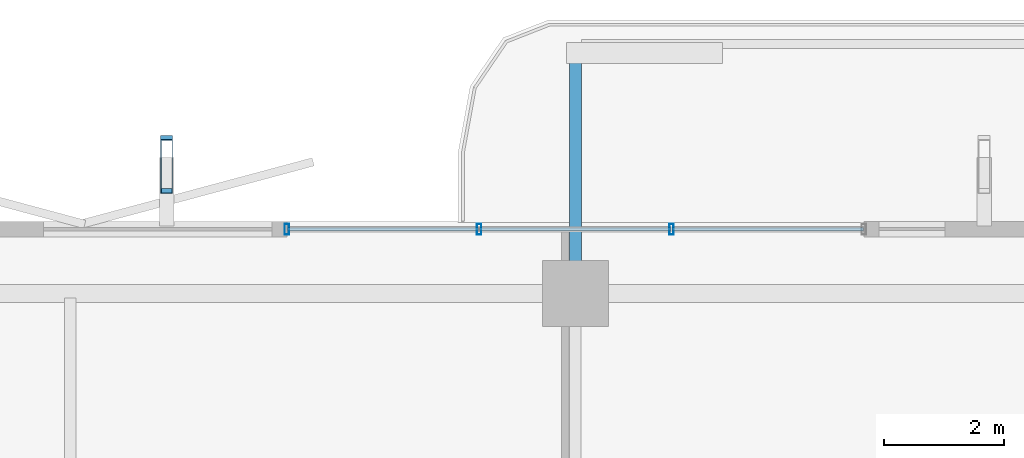
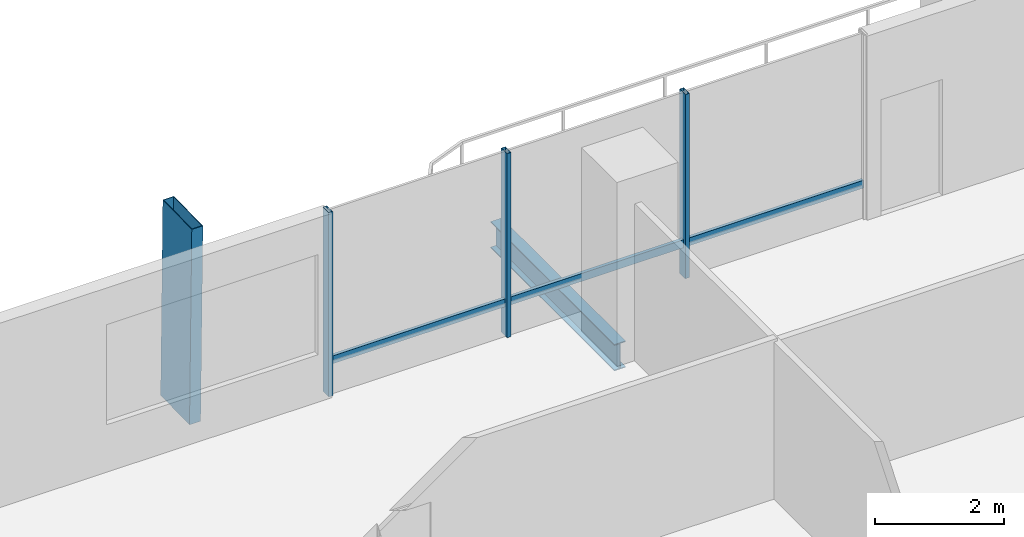
# One storey, part 14 of 25: 7 members, 1 beam, 1 element without a shape of its own.
"""IFC4 building model written with IfcOpenShell, lengths in metres."""

from ifc_helpers import new_model, si_unit, direction, frame, origin, origin_2d, place, context, subcontext, project, spatial, hollow_rectangle, i_section, extrude, material, layer, layer_set, material_profile, profile_set, type_object, element, aggregate, save


model = new_model("IFC4")

# Units and contexts
model_context = context("Model", 3, precision=1e-05, world=origin(), true_north=direction((0.0, 1.0)))
body_context = subcontext(model_context, "Body", "Model", "MODEL_VIEW")
ifc_project = project(units=[si_unit("LENGTHUNIT", "METRE"), si_unit("AREAUNIT", "SQUARE_METRE"), si_unit("VOLUMEUNIT", "CUBIC_METRE"), si_unit("PLANEANGLEUNIT", "RADIAN"), si_unit("MASSUNIT", "GRAM", prefix="KILO")], contexts=[model_context])

# Site, building, storey
site_placement = place(None, origin())
site = spatial("IfcSite", under=ifc_project, at=site_placement, CompositionType="ELEMENT")
building_placement = place(site_placement, origin())
building = spatial("IfcBuilding", under=site, at=building_placement, Name="Belovzor Exchange Tower", CompositionType="ELEMENT")
storey_placement = place(building_placement, frame((0.0, 0.0, 172.050048828125)))
storey = spatial("IfcBuildingStorey", under=building, at=storey_placement, Name="L42", CompositionType="ELEMENT", Elevation=172.050048828125)

# Beam
ifc_material_1 = material(Name="Steel S355", Category="steel")
ifc_material_profile_1 = material_profile(ifc_material_1, i_section(OverallWidth=0.199951171875, OverallDepth=0.5, WebThickness=0.01025390625, FlangeThickness=0.01611328125, at=origin_2d()))
ifc_profile_set_1 = profile_set([ifc_material_profile_1], Name="Steel S355")
beam_type = type_object("IfcBeamType", Name="Planted Balcony Cantilever Beam IPE 500", PredefinedType="BEAM", material=ifc_profile_set_1)
beam_placement = place(storey_placement, frame((28.800048828125, 52.202880859375, -0.505126953125), z_axis=(0.0, 1.0, 0.0), x_axis=(-1.0, 0.0, 0.0)))
element("IfcBeam", 1, at=beam_placement, inside=storey, type_object=beam_type, Name="BC-500 Planted Balcony Cantilever Beam IPE 500", PredefinedType="BEAM", context=body_context, shape_type="SweptSolid", body=[
    extrude(i_section(OverallWidth=0.199951171875, OverallDepth=0.5, WebThickness=0.01025390625, FlangeThickness=0.01611328125, at=origin_2d()), origin(), (0.0, 0.0, 1.0), 3.85009765625),
])

# Member
ifc_material_2 = material(Name="Extruded Architectural Terracotta on Steel S355 Carrier", Category="masonry")
ifc_material_profile_2 = material_profile(ifc_material_2, hollow_rectangle(XDim=0.199951171875, YDim=0.89990234375, WallThickness=0.011962890625, at=origin_2d()))
ifc_profile_set_2 = profile_set([ifc_material_profile_2], Name="Extruded Architectural Terracotta on Steel S355 Carrier")
member_type_1 = type_object("IfcMemberType", Name="Sweeping Terracotta Baguette Fin Assembly 1250", PredefinedType="USERDEFINED", material=ifc_profile_set_2)
member_1_placement = place(storey_placement, frame((22.0, 54.0810546875, -0.255126953125), z_axis=(0.0, -0.018681635002, 0.999825483029), x_axis=(1.0, 0.0, 0.0)))
element("IfcMember", 2, at=member_1_placement, inside=storey, type_object=member_type_1, Name="FIN-TC125 Terracotta Facade Fin L42 N2", ObjectType="FIN", PredefinedType="USERDEFINED", context=body_context, shape_type="SweptSolid", body=[
    extrude(hollow_rectangle(XDim=0.199951171875, YDim=0.89990234375, WallThickness=0.011962890625, at=origin_2d()), origin(), (0.0, 0.0, 1.0), 3.750732421875),
])

# Curtain wall, members
ifc_material_3 = material(Name="Anodised Aluminium Framing", Category="aluminium")
ifc_layer = layer(ifc_material_3, 0.179931640625)
ifc_layer_set = layer_set([ifc_layer], Name="Anodised Aluminium Framing")
curtain_wall_type = type_object("IfcCurtainWallType", Name="Recessed Loggia Low-Iron Triple-Glazed Curtain Wall", PredefinedType="NOTDEFINED", material=ifc_layer_set)
curtain_wall_placement = place(storey_placement, origin())
curtain_wall = element("IfcCurtainWall", 3, at=curtain_wall_placement, inside=storey, type_object=curtain_wall_type, Name="CW3 Recessed Loggia Low-Iron Triple-Glazed Curtain Wall L42", PredefinedType="NOTDEFINED")
ifc_material_4 = material(Name="Steel S355", Category="steel")
ifc_material_profile_3 = material_profile(ifc_material_4, hollow_rectangle(XDim=0.074951171875, YDim=0.179931640625, WallThickness=0.0048828125, at=origin_2d()))
ifc_profile_set_3 = profile_set([ifc_material_profile_3], Name="Steel S355")
member_type_2 = type_object("IfcMemberType", Name="Thermally Broken Curtain Wall Mullion 180x75", PredefinedType="MULLION", material=ifc_profile_set_3)
member_2_placement = place(storey_placement, frame((24.0, 52.969970703125, 0.0), z_axis=(0.0, 0.0, 1.0), x_axis=(1.0, 0.0, 0.0)))
member_2 = element("IfcMember", 4, at=member_2_placement, type_object=member_type_2, Name="CW-M180 Curtain Wall Mullion 1", PredefinedType="MULLION", context=body_context, shape_type="SweptSolid", body=[
    extrude(hollow_rectangle(XDim=0.074951171875, YDim=0.179931640625, WallThickness=0.0048828125, at=origin_2d()), origin(), (0.0, 0.0, 1.0), 3.494873046875),
])
member_3_placement = place(storey_placement, frame((27.199951171875, 52.969970703125, 0.0), z_axis=(0.0, 0.0, 1.0), x_axis=(1.0, 0.0, 0.0)))
member_3 = element("IfcMember", 5, at=member_3_placement, type_object=member_type_2, Name="CW-M180 Curtain Wall Mullion 2", PredefinedType="MULLION", context=body_context, shape_type="SweptSolid", body=[
    extrude(hollow_rectangle(XDim=0.074951171875, YDim=0.179931640625, WallThickness=0.0048828125, at=origin_2d()), origin(), (0.0, 0.0, 1.0), 3.494873046875),
])
member_4_placement = place(storey_placement, frame((30.39990234375, 52.969970703125, 0.0), z_axis=(0.0, 0.0, 1.0), x_axis=(1.0, 0.0, 0.0)))
member_4 = element("IfcMember", 6, at=member_4_placement, type_object=member_type_2, Name="CW-M180 Curtain Wall Mullion 3", PredefinedType="MULLION", context=body_context, shape_type="SweptSolid", body=[
    extrude(hollow_rectangle(XDim=0.074951171875, YDim=0.179931640625, WallThickness=0.0048828125, at=origin_2d()), origin(), (0.0, 0.0, 1.0), 3.494873046875),
])
ifc_material_5 = material(Name="Steel S355", Category="steel")
ifc_material_profile_4 = material_profile(ifc_material_5, hollow_rectangle(XDim=0.06005859375, YDim=0.14990234375, WallThickness=0.00390625, at=origin_2d()))
ifc_profile_set_4 = profile_set([ifc_material_profile_4], Name="Steel S355")
member_type_3 = type_object("IfcMemberType", Name="Thermally Broken Curtain Wall Transom 150x60", PredefinedType="USERDEFINED", material=ifc_profile_set_4)
member_5_placement = place(storey_placement, frame((24.008056640625, 52.969970703125, 0.62890625), z_axis=(1.0, 0.0, 0.0), x_axis=(0.0, 1.0, 0.0)))
member_5 = element("IfcMember", 7, at=member_5_placement, type_object=member_type_3, Name="CW-T150 Curtain Wall Transom 1", ObjectType="TRANSOM", PredefinedType="USERDEFINED", context=body_context, shape_type="SweptSolid", body=[
    extrude(hollow_rectangle(XDim=0.06005859375, YDim=0.14990234375, WallThickness=0.00390625, at=origin_2d()), origin(), (0.0, 0.0, 1.0), 3.183837890625),
])
member_6_placement = place(storey_placement, frame((27.2080078125, 52.969970703125, 0.62890625), z_axis=(1.0, 0.0, 0.0), x_axis=(0.0, 1.0, 0.0)))
member_6 = element("IfcMember", 8, at=member_6_placement, type_object=member_type_3, Name="CW-T150 Curtain Wall Transom 2", ObjectType="TRANSOM", PredefinedType="USERDEFINED", context=body_context, shape_type="SweptSolid", body=[
    extrude(hollow_rectangle(XDim=0.06005859375, YDim=0.14990234375, WallThickness=0.00390625, at=origin_2d()), origin(), (0.0, 0.0, 1.0), 3.18408203125),
])
member_7_placement = place(storey_placement, frame((30.407958984375, 52.969970703125, 0.62890625), z_axis=(1.0, 0.0, 0.0), x_axis=(0.0, 1.0, 0.0)))
member_7 = element("IfcMember", 9, at=member_7_placement, type_object=member_type_3, Name="CW-T150 Curtain Wall Transom 3", ObjectType="TRANSOM", PredefinedType="USERDEFINED", context=body_context, shape_type="SweptSolid", body=[
    extrude(hollow_rectangle(XDim=0.06005859375, YDim=0.14990234375, WallThickness=0.00390625, at=origin_2d()), origin(), (0.0, 0.0, 1.0), 3.18408203125),
])
aggregate(curtain_wall, [member_2, member_3, member_4, member_5, member_6, member_7])

save(model, "model.ifc")
